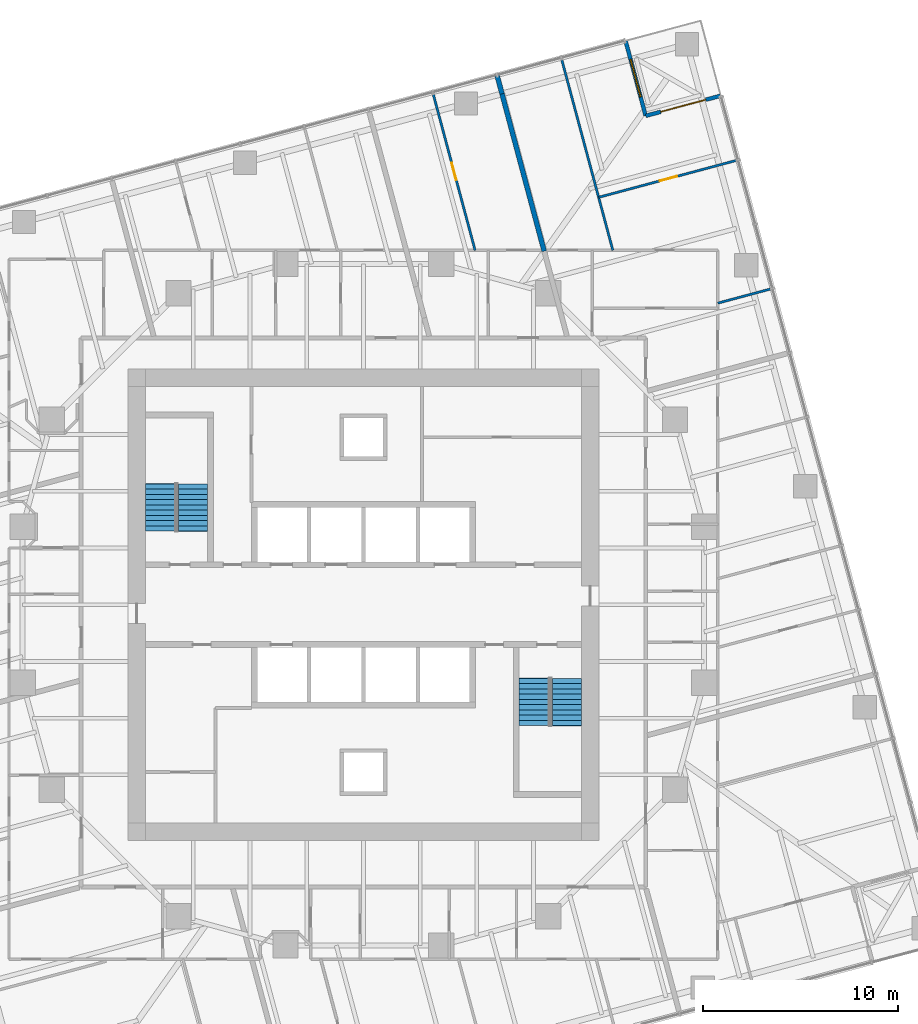
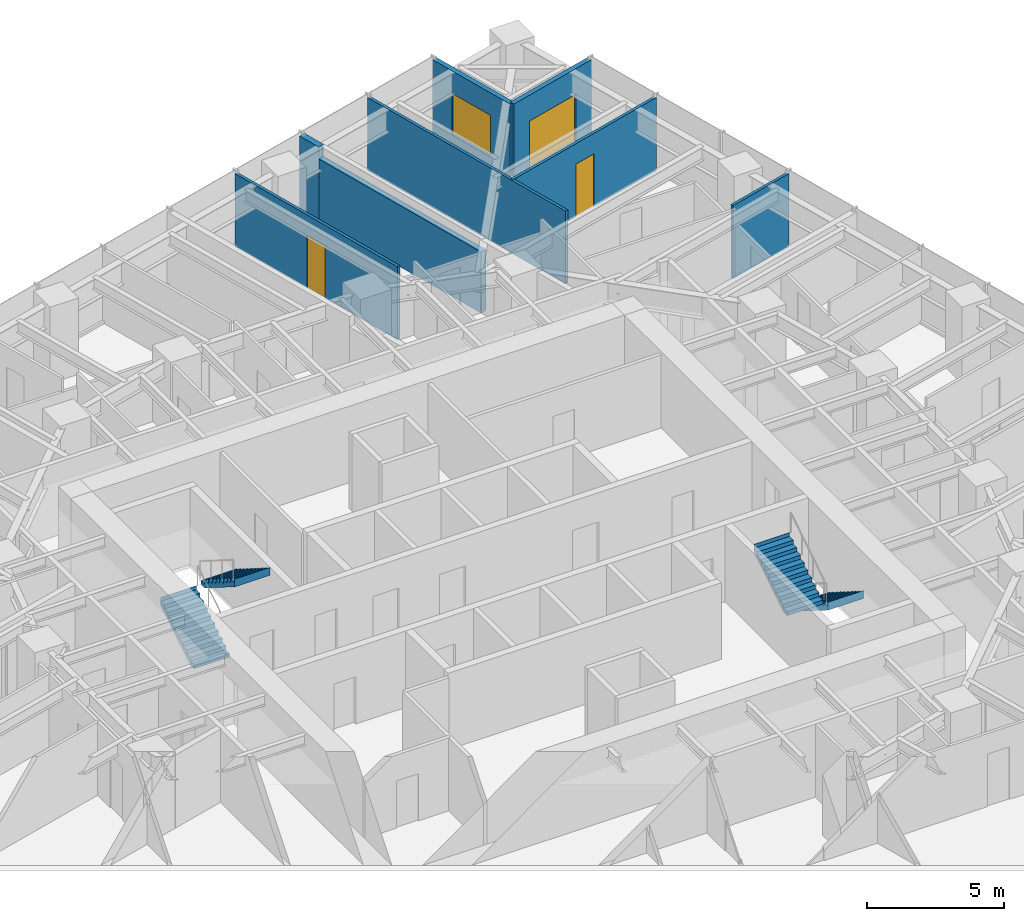
# One storey, part 14 of 15: 8 walls, 4 stair flights, 3 doors, 1 window, 4 openings, 2 elements without a shape of their own.
"""IFC4 building model written with IfcOpenShell, lengths in metres."""

from ifc_helpers import new_model, si_unit, direction, frame, frame_2d, origin, place, context, subcontext, project, spatial, polyline, rectangle, outline, extrude, material, layer, layer_set, type_object, element, fill, aggregate, save


model = new_model("IFC4")

# Units and contexts
model_context = context("Model", 3, precision=1e-05, world=origin(), true_north=direction((0.0, 1.0)))
body_context = subcontext(model_context, "Body", "Model", "MODEL_VIEW")
ifc_project = project(units=[si_unit("LENGTHUNIT", "METRE"), si_unit("AREAUNIT", "SQUARE_METRE"), si_unit("VOLUMEUNIT", "CUBIC_METRE"), si_unit("PLANEANGLEUNIT", "RADIAN"), si_unit("MASSUNIT", "GRAM", prefix="KILO")], contexts=[model_context])

# Site, building, storey
site_placement = place(None, origin())
site = spatial("IfcSite", under=ifc_project, at=site_placement, CompositionType="ELEMENT")
building_placement = place(site_placement, origin())
building = spatial("IfcBuilding", under=site, at=building_placement, Name="Torsade Residences", CompositionType="ELEMENT")
storey_placement = place(building_placement, frame((0.0, 0.0, 132.0)))
storey = spatial("IfcBuildingStorey", under=building, at=storey_placement, Name="L36", CompositionType="ELEMENT", Elevation=132.0)

# Wall, opening, door
ifc_material_1 = material(Name="Plasterboard on steel stud", Category="steel")
ifc_layer_1 = layer(ifc_material_1, 0.1201171875)
ifc_layer_set_1 = layer_set([ifc_layer_1], Name="Plasterboard on steel stud")
wall_type_1 = type_object("IfcWallType", Name="PARTITION 120", PredefinedType="PARTITIONING", material=ifc_layer_set_1)
wall_1_placement = place(storey_placement, frame((59.205078125, 52.83203125, 0.0), z_axis=(0.0, 0.0, 1.0), x_axis=(-0.965926630377, -0.258816044185, 0.0)))
wall_1 = element("IfcWall", 1, at=wall_1_placement, inside=storey, type_object=wall_type_1, Name="Partition L36", PredefinedType="PARTITIONING", context=body_context, shape_type="SweptSolid", body=[
    extrude(rectangle(XDim=7.376708984375, YDim=0.1201171875, at=frame_2d((3.6884765625, 0.0))), origin(), (0.0, 0.0, 1.0), 3.25),
])
opening_1_placement = place(wall_1_placement, frame((3.208251953125, 0.0, 0.0)))
opening_1 = element("IfcOpeningElement", 2, at=opening_1_placement, cuts=wall_1, Name="Opening D02", PredefinedType="OPENING", context=body_context, shape_type="SweptSolid", body=[
    extrude(rectangle(XDim=0.919921875, YDim=2.340087890625, at=frame_2d((0.4599609375, 1.169921875))), frame((0.0, 0.070068359375, 0.0), z_axis=(0.0, -1.0, 0.0), x_axis=(1.0, 0.0, 0.0)), (0.0, 0.0, 1.0), 0.14013671875),
])
ifc_material_2 = material(Name="Hollow-core timber door", Category="wood")
door_type_1 = type_object("IfcDoorType", Name="INTERNAL DOOR 920x2340", OperationType="NOTDEFINED", PredefinedType="DOOR", material=ifc_material_2)
door_1_placement = place(opening_1_placement, origin())
door_1 = element("IfcDoor", 3, at=door_1_placement, inside=storey, type_object=door_type_1, Name="Door Bedroom 1 to Living room", OperationType="SINGLE_SWING_RIGHT", OverallHeight=2.340087890625, OverallWidth=0.919921875, PredefinedType="DOOR", context=body_context, shape_type="SweptSolid", body=[
    extrude(rectangle(XDim=0.919921875, YDim=2.340087890625, at=frame_2d((0.4599609375, 1.169921875))), frame((0.0, 0.02490234375, 0.0), z_axis=(0.0, -1.0, 0.0), x_axis=(1.0, 0.0, 0.0)), (0.0, 0.0, 1.0), 0.050048828125),
])
fill(opening_1, door_1)

# Walls
wall_2_placement = place(storey_placement, frame((52.809326171875, 48.199951171875, 0.0), z_axis=(0.0, 0.0, 1.0), x_axis=(-0.258829444594, 0.965923039694, 0.0)))
element("IfcWall", 4, at=wall_2_placement, inside=storey, type_object=wall_type_1, Name="Partition L36", PredefinedType="PARTITIONING", context=body_context, shape_type="SweptSolid", body=[
    extrude(rectangle(XDim=10.195556640625, YDim=0.1201171875, at=frame_2d((5.09765625, 0.0))), origin(), (0.0, 0.0, 1.0), 3.25),
])
wall_3_placement = place(storey_placement, frame((60.9736328125, 46.2314453125, 0.0), z_axis=(0.0, 0.0, 1.0), x_axis=(-0.965929456086, -0.258805498136, 0.0)))
element("IfcWall", 5, at=wall_3_placement, inside=storey, type_object=wall_type_1, Name="Partition L36", PredefinedType="PARTITIONING", context=body_context, shape_type="SweptSolid", body=[
    extrude(rectangle(XDim=2.87158203125, YDim=0.1201171875, at=frame_2d((1.435791015625, 0.0))), origin(), (0.0, 0.0, 1.0), 3.25),
])

# Wall, opening, door
wall_4_placement = place(storey_placement, frame((45.73486328125, 48.199951171875, 0.0), z_axis=(0.0, 0.0, 1.0), x_axis=(-0.258805140981, 0.96592955178, 0.0)))
wall_4 = element("IfcWall", 6, at=wall_4_placement, inside=storey, type_object=wall_type_1, Name="Partition L36", PredefinedType="PARTITIONING", context=body_context, shape_type="SweptSolid", body=[
    extrude(rectangle(XDim=8.364501953125, YDim=0.1201171875, at=frame_2d((4.18212890625, 0.0))), origin(), (0.0, 0.0, 1.0), 3.25),
])
opening_2_placement = place(wall_4_placement, frame((3.7421875, 0.0, 0.0)))
opening_2 = element("IfcOpeningElement", 7, at=opening_2_placement, cuts=wall_4, Name="Opening D02", PredefinedType="OPENING", context=body_context, shape_type="SweptSolid", body=[
    extrude(rectangle(XDim=0.919921875, YDim=2.340087890625, at=frame_2d((0.4599609375, 1.169921875))), frame((0.0, 0.070068359375, 0.0), z_axis=(0.0, -1.0, 0.0), x_axis=(1.0, 0.0, 0.0)), (0.0, 0.0, 1.0), 0.14013671875),
])
door_2_placement = place(opening_2_placement, origin())
door_2 = element("IfcDoor", 8, at=door_2_placement, inside=storey, type_object=door_type_1, Name="Door Living room to Bedroom 1", OperationType="SINGLE_SWING_LEFT", OverallHeight=2.340087890625, OverallWidth=0.919921875, PredefinedType="DOOR", context=body_context, shape_type="SweptSolid", body=[
    extrude(rectangle(XDim=0.919921875, YDim=2.340087890625, at=frame_2d((0.4599609375, 1.169921875))), frame((0.0, 0.02490234375, 0.0), z_axis=(0.0, -1.0, 0.0), x_axis=(1.0, 0.0, 0.0)), (0.0, 0.0, 1.0), 0.050048828125),
])
fill(opening_2, door_2)

# Walls
ifc_material_3 = material(Name="Masonry-lined stud party wall", Category="masonry")
ifc_layer_2 = layer(ifc_material_3, 0.25)
ifc_layer_set_2 = layer_set([ifc_layer_2], Name="Masonry-lined stud party wall")
wall_type_2 = type_object("IfcWallType", Name="PARTY WALL 250", PredefinedType="PARTITIONING", material=ifc_layer_set_2)
wall_5_placement = place(storey_placement, frame((46.85986328125, 57.202392578125, 0.0), z_axis=(0.0, 0.0, 1.0), x_axis=(0.258817449225, -0.965926253902, 0.0)))
element("IfcWall", 9, at=wall_5_placement, inside=storey, type_object=wall_type_2, Name="Party wall L36", PredefinedType="PARTITIONING", context=body_context, shape_type="SweptSolid", body=[
    extrude(rectangle(XDim=1.0, YDim=0.25, at=frame_2d((0.5, 0.0))), origin(), (0.0, 0.0, 1.0), 3.25),
])
wall_6_placement = place(storey_placement, frame((47.11865234375, 56.236572265625, 0.0), z_axis=(0.0, 0.0, 1.0), x_axis=(0.258823120582, -0.965924734258, 0.0)))
element("IfcWall", 10, at=wall_6_placement, inside=storey, type_object=wall_type_2, Name="Party wall L36", PredefinedType="PARTITIONING", context=body_context, shape_type="SweptSolid", body=[
    extrude(rectangle(XDim=8.365966796875, YDim=0.25, at=frame_2d((4.18310546875, 0.0))), origin(), (0.0, 0.0, 1.0), 2.720947265625),
])

# Wall, opening, door
ifc_material_4 = material(Name="Stone-faced precast concrete 40 MPa panel", Category="masonry")
ifc_layer_3 = layer(ifc_material_4, 0.199951171875)
ifc_layer_set_3 = layer_set([ifc_layer_3], Name="Stone-faced precast concrete 40 MPa panel")
wall_type_3 = type_object("IfcWallType", Name="TERRACE WALL 200", PredefinedType="SOLIDWALL", material=ifc_layer_set_3)
wall_7_placement = place(storey_placement, frame((58.359375, 56.142578125, 0.0), z_axis=(0.0, 0.0, 1.0), x_axis=(-0.965919172068, -0.258843877716, 0.0)))
wall_7 = element("IfcWall", 11, at=wall_7_placement, inside=storey, type_object=wall_type_3, Name="Terrace wall L36 5", PredefinedType="SOLIDWALL", context=body_context, shape_type="SweptSolid", body=[
    extrude(rectangle(XDim=4.0, YDim=0.199951171875, at=frame_2d((2.0, 0.0))), origin(), (0.0, 0.0, 1.0), 3.25),
])
opening_3_placement = place(wall_7_placement, frame((0.800048828125, 0.0, 0.0)))
opening_3 = element("IfcOpeningElement", 12, at=opening_3_placement, cuts=wall_7, Name="Opening D10A", PredefinedType="OPENING", context=body_context, shape_type="SweptSolid", body=[
    extrude(rectangle(XDim=2.39990234375, YDim=2.10009765625, at=frame_2d((1.199951171875, 1.050048828125))), frame((0.0, 0.10986328125, 0.0), z_axis=(0.0, -1.0, 0.0), x_axis=(1.0, 0.0, 0.0)), (0.0, 0.0, 1.0), 0.219970703125),
])
ifc_material_5 = material(Name="Aluminium-framed glass door", Category="aluminium")
door_type_2 = type_object("IfcDoorType", Name="TERRACE SLIDING DOOR 2400x2100", OperationType="SLIDING_TO_LEFT", PredefinedType="DOOR", material=ifc_material_5)
door_3_placement = place(opening_3_placement, origin())
door_3 = element("IfcDoor", 13, at=door_3_placement, inside=storey, type_object=door_type_2, Name="Terrace door L36 5", OperationType="SLIDING_TO_LEFT", OverallHeight=2.10009765625, OverallWidth=2.39990234375, PredefinedType="DOOR", context=body_context, shape_type="SweptSolid", body=[
    extrude(rectangle(XDim=2.39990234375, YDim=2.10009765625, at=frame_2d((1.199951171875, 1.050048828125))), frame((0.0, 0.02490234375, 0.0), z_axis=(0.0, -1.0, 0.0), x_axis=(1.0, 0.0, 0.0)), (0.0, 0.0, 1.0), 0.050048828125),
])
fill(opening_3, door_3)

# Wall, opening, window
wall_8_placement = place(storey_placement, frame((54.49560546875, 55.107177734375, 0.0), z_axis=(0.0, 0.0, 1.0), x_axis=(-0.258786931944, 0.965934430412, 0.0)))
wall_8 = element("IfcWall", 14, at=wall_8_placement, inside=storey, type_object=wall_type_3, Name="Terrace wall L36 6", PredefinedType="SOLIDWALL", context=body_context, shape_type="SweptSolid", body=[
    extrude(rectangle(XDim=4.0, YDim=0.199951171875, at=frame_2d((2.0, 0.0))), origin(), (0.0, 0.0, 1.0), 3.25),
])
opening_4_placement = place(wall_8_placement, frame((1.0, 0.0, 0.449951171875)))
opening_4 = element("IfcOpeningElement", 15, at=opening_4_placement, cuts=wall_8, Name="Opening W1B", PredefinedType="OPENING", context=body_context, shape_type="SweptSolid", body=[
    extrude(rectangle(XDim=2.0, YDim=1.800048828125, at=frame_2d((1.0, 0.89990234375))), frame((0.0, 0.10986328125, 0.0), z_axis=(0.0, -1.0, 0.0), x_axis=(1.0, 0.0, 0.0)), (0.0, 0.0, 1.0), 0.219970703125),
])
ifc_material_6 = material(Name="Aluminium-framed glass window", Category="aluminium")
window_type = type_object("IfcWindowType", Name="TERRACE WINDOW 2000x1800", PartitioningType="SINGLE_PANEL", PredefinedType="WINDOW", material=ifc_material_6)
window_placement = place(opening_4_placement, origin())
window = element("IfcWindow", 16, at=window_placement, inside=storey, type_object=window_type, Name="Terrace window L36 6", OverallHeight=1.800048828125, OverallWidth=2.0, PartitioningType="SINGLE_PANEL", PredefinedType="WINDOW", context=body_context, shape_type="SweptSolid", body=[
    extrude(rectangle(XDim=2.0, YDim=1.800048828125, at=frame_2d((1.0, 0.89990234375))), frame((0.0, 0.030029296875, 0.0), z_axis=(0.0, -1.0, 0.0), x_axis=(1.0, 0.0, 0.0)), (0.0, 0.0, 1.0), 0.06005859375),
])
fill(opening_4, window)

# Stair, stair flights
ifc_material_7 = material(Name="Precast concrete 40 MPa", Category="concrete")
stair_type = type_object("IfcStairType", Name="HALF-TURN FIRE STAIR 1500x3400", PredefinedType="HALF_TURN_STAIR", material=ifc_material_7)
stair_1_placement = place(storey_placement, origin())
stair_1 = element("IfcStair", 17, at=stair_1_placement, inside=storey, type_object=stair_type, Name="Stair ST1 L36", PredefinedType="HALF_TURN_STAIR")
ifc_material_8 = material(Name="Precast concrete 40 MPa", Category="concrete")
stair_flight_type = type_object("IfcStairFlightType", Name="PRECAST STAIR FLIGHT 1500x1700", PredefinedType="STRAIGHT", material=ifc_material_8)
stair_flight_1_placement = place(storey_placement, frame((29.550048828125, 33.780029296875, 0.0), z_axis=(0.0, 0.0, 1.0), x_axis=(0.0, 1.0, 0.0)))
stair_flight_1 = element("IfcStairFlight", 18, at=stair_flight_1_placement, type_object=stair_flight_type, Name="ST1 flight 1", NumberOfRisers=10, NumberOfTreads=9, PredefinedType="STRAIGHT", RiserHeight=0.17, TreadLength=0.27, context=body_context, shape_type="SweptSolid", body=[
    extrude(outline(polyline([(0.0, 0.0), (0.0, 0.169921875), (0.27001953125, 0.169921875), (0.27001953125, 0.340087890625), (0.5400390625, 0.340087890625), (0.5400390625, 0.510009765625), (0.81005859375, 0.510009765625), (0.81005859375, 0.679931640625), (1.080078125, 0.679931640625), (1.080078125, 0.85009765625), (1.35009765625, 0.85009765625), (1.35009765625, 1.02001953125), (1.6201171875, 1.02001953125), (1.6201171875, 1.18994140625), (1.889892578125, 1.18994140625), (1.889892578125, 1.360107421875), (2.159912109375, 1.360107421875), (2.159912109375, 1.530029296875), (2.429931640625, 1.530029296875), (2.429931640625, 1.699951171875), (2.43994140625, 1.699951171875), (2.43994140625, 1.352783203125), (2.429931640625, 1.352783203125), (0.28125, 0.0), (0.0, 0.0)])), frame((0.0, 0.75, 0.0), z_axis=(0.0, -1.0, 0.0), x_axis=(1.0, 0.0, 0.0)), (0.0, 0.0, 1.0), 1.5),
])
stair_flight_2_placement = place(storey_placement, frame((31.25, 36.2099609375, 1.699951171875), z_axis=(0.0, 0.0, 1.0), x_axis=(0.0, -1.0, 0.0)))
stair_flight_2 = element("IfcStairFlight", 19, at=stair_flight_2_placement, type_object=stair_flight_type, Name="ST1 flight 2", NumberOfRisers=10, NumberOfTreads=9, PredefinedType="STRAIGHT", RiserHeight=0.17, TreadLength=0.27, context=body_context, shape_type="SweptSolid", body=[
    extrude(outline(polyline([(0.0, 0.0), (0.0, 0.169921875), (0.27001953125, 0.169921875), (0.27001953125, 0.340087890625), (0.5400390625, 0.340087890625), (0.5400390625, 0.510009765625), (0.81005859375, 0.510009765625), (0.81005859375, 0.679931640625), (1.080078125, 0.679931640625), (1.080078125, 0.85009765625), (1.35009765625, 0.85009765625), (1.35009765625, 1.02001953125), (1.6201171875, 1.02001953125), (1.6201171875, 1.18994140625), (1.889892578125, 1.18994140625), (1.889892578125, 1.360107421875), (2.159912109375, 1.360107421875), (2.159912109375, 1.530029296875), (2.429931640625, 1.530029296875), (2.429931640625, 1.699951171875), (2.43994140625, 1.699951171875), (2.43994140625, 1.352783203125), (2.429931640625, 1.352783203125), (0.28125, 0.0), (0.0, 0.0)])), frame((0.0, 0.75, 0.0), z_axis=(0.0, -1.0, 0.0), x_axis=(1.0, 0.0, 0.0)), (0.0, 0.0, 1.0), 1.5),
])
aggregate(stair_1, [stair_flight_1, stair_flight_2])

stair_2_placement = place(storey_placement, origin())
stair_2 = element("IfcStair", 20, at=stair_2_placement, inside=storey, type_object=stair_type, Name="Stair ST2 L36", PredefinedType="HALF_TURN_STAIR")
stair_flight_3_placement = place(storey_placement, frame((50.449951171875, 26.219970703125, 0.0), z_axis=(0.0, 0.0, 1.0), x_axis=(0.0, -1.0, 0.0)))
stair_flight_3 = element("IfcStairFlight", 21, at=stair_flight_3_placement, type_object=stair_flight_type, Name="ST2 flight 1", NumberOfRisers=10, NumberOfTreads=9, PredefinedType="STRAIGHT", RiserHeight=0.17, TreadLength=0.27, context=body_context, shape_type="SweptSolid", body=[
    extrude(outline(polyline([(0.0, 0.0), (0.0, 0.169921875), (0.27001953125, 0.169921875), (0.27001953125, 0.340087890625), (0.5400390625, 0.340087890625), (0.5400390625, 0.510009765625), (0.81005859375, 0.510009765625), (0.81005859375, 0.679931640625), (1.080078125, 0.679931640625), (1.080078125, 0.85009765625), (1.35009765625, 0.85009765625), (1.35009765625, 1.02001953125), (1.6201171875, 1.02001953125), (1.6201171875, 1.18994140625), (1.889892578125, 1.18994140625), (1.889892578125, 1.360107421875), (2.159912109375, 1.360107421875), (2.159912109375, 1.530029296875), (2.429931640625, 1.530029296875), (2.429931640625, 1.699951171875), (2.43994140625, 1.699951171875), (2.43994140625, 1.352783203125), (2.429931640625, 1.352783203125), (0.28125, 0.0), (0.0, 0.0)])), frame((0.0, 0.75, 0.0), z_axis=(0.0, -1.0, 0.0), x_axis=(1.0, 0.0, 0.0)), (0.0, 0.0, 1.0), 1.5),
])
stair_flight_4_placement = place(storey_placement, frame((48.75, 23.7900390625, 1.699951171875), z_axis=(0.0, 0.0, 1.0), x_axis=(0.0, 1.0, 0.0)))
stair_flight_4 = element("IfcStairFlight", 22, at=stair_flight_4_placement, type_object=stair_flight_type, Name="ST2 flight 2", NumberOfRisers=10, NumberOfTreads=9, PredefinedType="STRAIGHT", RiserHeight=0.17, TreadLength=0.27, context=body_context, shape_type="SweptSolid", body=[
    extrude(outline(polyline([(0.0, 0.0), (0.0, 0.169921875), (0.27001953125, 0.169921875), (0.27001953125, 0.340087890625), (0.5400390625, 0.340087890625), (0.5400390625, 0.510009765625), (0.81005859375, 0.510009765625), (0.81005859375, 0.679931640625), (1.080078125, 0.679931640625), (1.080078125, 0.85009765625), (1.35009765625, 0.85009765625), (1.35009765625, 1.02001953125), (1.6201171875, 1.02001953125), (1.6201171875, 1.18994140625), (1.889892578125, 1.18994140625), (1.889892578125, 1.360107421875), (2.159912109375, 1.360107421875), (2.159912109375, 1.530029296875), (2.429931640625, 1.530029296875), (2.429931640625, 1.699951171875), (2.43994140625, 1.699951171875), (2.43994140625, 1.352783203125), (2.429931640625, 1.352783203125), (0.28125, 0.0), (0.0, 0.0)])), frame((0.0, 0.75, 0.0), z_axis=(0.0, -1.0, 0.0), x_axis=(1.0, 0.0, 0.0)), (0.0, 0.0, 1.0), 1.5),
])
aggregate(stair_2, [stair_flight_3, stair_flight_4])

save(model, "model.ifc")
